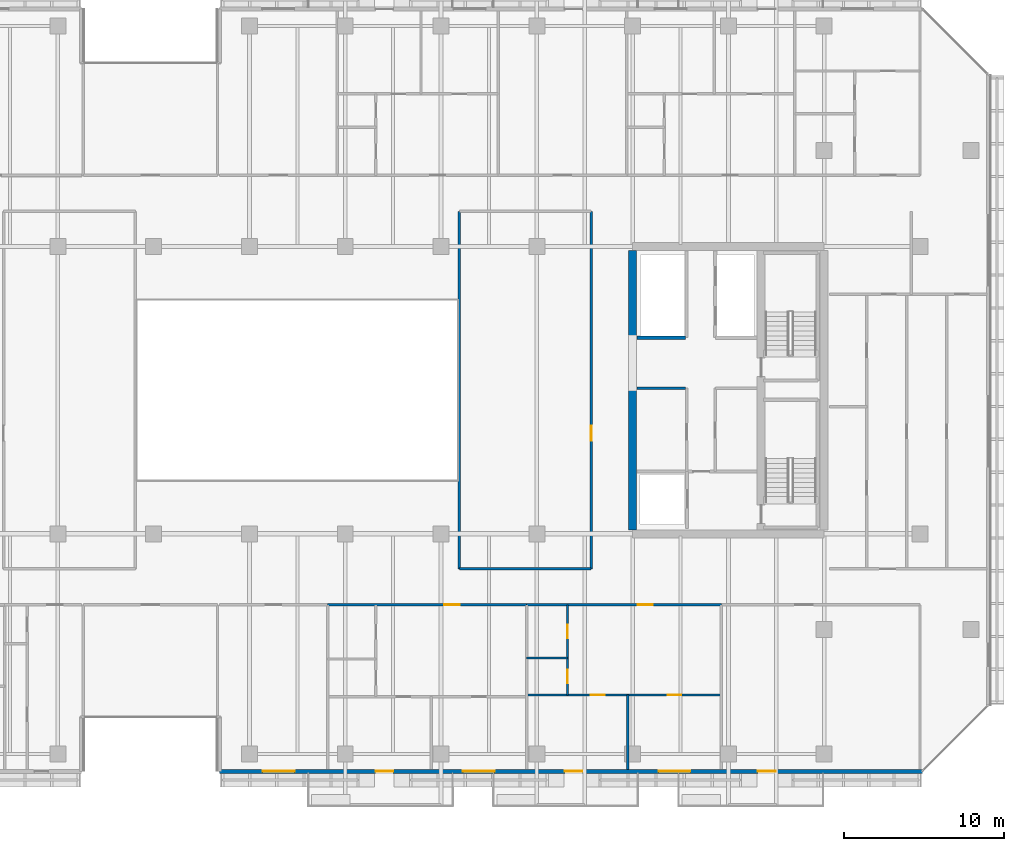
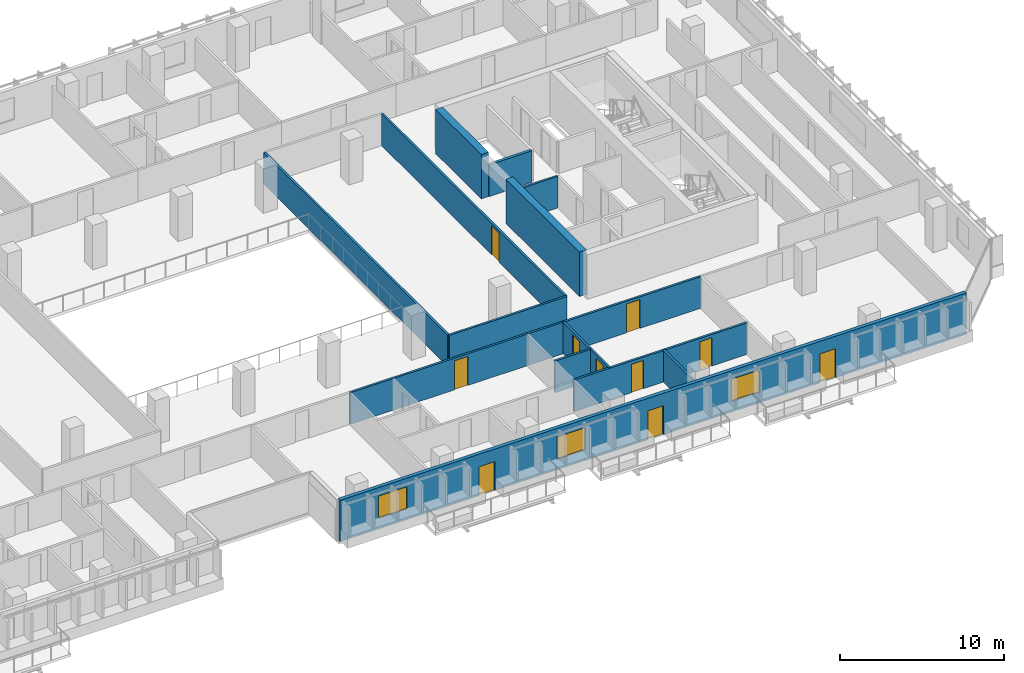
# One storey, part 25 of 35: 14 walls, 10 doors, 3 windows, 13 openings.
"""IFC4 building model written with IfcOpenShell, lengths in metres."""

from ifc_helpers import new_model, si_unit, direction, frame, frame_2d, origin, place, context, subcontext, project, spatial, rectangle, extrude, material, layer, layer_set, type_object, element, fill, save


model = new_model("IFC4")

# Units and contexts
model_context = context("Model", 3, precision=1e-05, world=origin(), true_north=direction((0.0, 1.0)))
body_context = subcontext(model_context, "Body", "Model", "MODEL_VIEW")
ifc_project = project(units=[si_unit("LENGTHUNIT", "METRE"), si_unit("AREAUNIT", "SQUARE_METRE"), si_unit("VOLUMEUNIT", "CUBIC_METRE"), si_unit("PLANEANGLEUNIT", "RADIAN"), si_unit("MASSUNIT", "GRAM", prefix="KILO")], contexts=[model_context])

# Site, building, storey
site_placement = place(None, origin())
site = spatial("IfcSite", under=ifc_project, at=site_placement, CompositionType="ELEMENT")
building_placement = place(site_placement, origin())
building = spatial("IfcBuilding", under=site, at=building_placement, Name="Tanjung Sevakor Pilgrim Tower", CompositionType="ELEMENT")
storey_placement = place(building_placement, frame((0.0, 0.0, 92.070068359375)))
storey = spatial("IfcBuildingStorey", under=building, at=storey_placement, Name="L25", CompositionType="ELEMENT", Elevation=92.070068359375)

# Walls
ifc_material_1 = material(Name="Concrete C60/75", Category="concrete")
ifc_layer_1 = layer(ifc_material_1, 0.5)
ifc_layer_set_1 = layer_set([ifc_layer_1], Name="WALL-CW-500")
wall_type_1 = type_object("IfcWallType", Name="WALL-CW-500", PredefinedType="SHEAR", material=ifc_layer_set_1)
wall_1_placement = place(storey_placement, frame((78.0, 24.85009765625, 0.0), z_axis=(0.0, 0.0, 1.0), x_axis=(0.0, 1.0, 0.0)))
element("IfcWall", 1, at=wall_1_placement, inside=storey, type_object=wall_type_1, Name="L25 E Core Inner Shear Wall South", PredefinedType="SHEAR", context=body_context, shape_type="SweptSolid", body=[
    extrude(rectangle(XDim=8.949951171875, YDim=0.5, at=frame_2d((4.47509765625, 0.0))), origin(), (0.0, 0.0, 1.0), 3.300048828125),
])
wall_2_placement = place(storey_placement, frame((78.0, 36.800048828125, 0.0), z_axis=(0.0, 0.0, 1.0), x_axis=(0.0, 1.0, 0.0)))
element("IfcWall", 2, at=wall_2_placement, inside=storey, type_object=wall_type_1, Name="L25 E Core Inner Shear Wall North", PredefinedType="SHEAR", context=body_context, shape_type="SweptSolid", body=[
    extrude(rectangle(XDim=5.550048828125, YDim=0.5, at=frame_2d((2.77490234375, 0.0))), origin(), (0.0, 0.0, 1.0), 3.300048828125),
])
ifc_material_2 = material(Name="Concrete C40/50", Category="concrete")
ifc_layer_2 = layer(ifc_material_2, 0.14990234375)
ifc_layer_set_2 = layer_set([ifc_layer_2], Name="WT-COMP-150")
wall_type_2 = type_object("IfcWallType", Name="WT-COMP-150", PredefinedType="SOLIDWALL", material=ifc_layer_set_2)
wall_3_placement = place(storey_placement, frame((78.27001953125, 33.719970703125, 0.0), z_axis=(0.0, 0.0, 1.0), x_axis=(1.0, 0.0, 0.0)))
element("IfcWall", 3, at=wall_3_placement, inside=storey, type_object=wall_type_2, Name="L25 Partition IW-L25-015", PredefinedType="SOLIDWALL", context=body_context, shape_type="SweptSolid", body=[
    extrude(rectangle(XDim=3.050048828125, YDim=0.14990234375, at=frame_2d((1.52490234375, 0.0))), origin(), (0.0, 0.0, 1.0), 2.35009765625),
])
wall_4_placement = place(storey_placement, frame((67.14990234375, 22.39990234375, 0.0), z_axis=(0.0, 0.0, 1.0), x_axis=(1.0, 0.0, 0.0)))
element("IfcWall", 4, at=wall_4_placement, inside=storey, type_object=wall_type_2, Name="L25 Partition IW-L25-025", PredefinedType="SOLIDWALL", context=body_context, shape_type="SweptSolid", body=[
    extrude(rectangle(XDim=8.25, YDim=0.14990234375, at=frame_2d((4.125, 0.0))), origin(), (0.0, 0.0, 1.0), 2.35009765625),
])
wall_5_placement = place(storey_placement, frame((67.14990234375, 22.39990234375, 0.0), z_axis=(0.0, 0.0, 1.0), x_axis=(0.0, 1.0, 0.0)))
element("IfcWall", 5, at=wall_5_placement, inside=storey, type_object=wall_type_2, Name="L25 Partition IW-L25-027", PredefinedType="SOLIDWALL", context=body_context, shape_type="SweptSolid", body=[
    extrude(rectangle(XDim=22.400146484375, YDim=0.14990234375, at=frame_2d((11.2001953125, 0.0))), origin(), (0.0, 0.0, 1.0), 2.35009765625),
])

# Wall, opening, door
wall_6_placement = place(storey_placement, frame((75.39990234375, 22.39990234375, 0.0), z_axis=(0.0, 0.0, 1.0), x_axis=(0.0, 1.0, 0.0)))
wall_6 = element("IfcWall", 6, at=wall_6_placement, inside=storey, type_object=wall_type_2, Name="L25 Partition IW-L25-028", PredefinedType="SOLIDWALL", context=body_context, shape_type="SweptSolid", body=[
    extrude(rectangle(XDim=22.400146484375, YDim=0.14990234375, at=frame_2d((11.2001953125, 0.0))), origin(), (0.0, 0.0, 1.0), 2.35009765625),
])
opening_1_placement = place(wall_6_placement, frame((8.02490234375, 0.0, 0.0)))
opening_1 = element("IfcOpeningElement", 7, at=opening_1_placement, cuts=wall_6, Name="Opening ID-RM1", PredefinedType="OPENING", context=body_context, shape_type="SweptSolid", body=[
    extrude(rectangle(XDim=0.949951171875, YDim=2.14990234375, at=frame_2d((0.47509765625, 1.074951171875))), frame((0.0, 0.0849609375, 0.0), z_axis=(0.0, -1.0, 0.0), x_axis=(1.0, 0.0, 0.0)), (0.0, 0.0, 1.0), 0.169921875),
])
ifc_material_3 = material(Name="Hardwood Timber", Category="wood")
door_type_1 = type_object("IfcDoorType", Name="DT-INT-950", OperationType="NOTDEFINED", PredefinedType="DOOR", material=ifc_material_3)
door_1_placement = place(opening_1_placement, origin())
door_1 = element("IfcDoor", 8, at=door_1_placement, inside=storey, type_object=door_type_1, Name="L25 Central East Room Door", OperationType="SINGLE_SWING_RIGHT", OverallHeight=2.14990234375, OverallWidth=0.949951171875, PredefinedType="DOOR", context=body_context, shape_type="SweptSolid", body=[
    extrude(rectangle(XDim=0.949951171875, YDim=2.14990234375, at=frame_2d((0.47509765625, 1.074951171875))), frame((0.0, 0.02490234375, 0.0), z_axis=(0.0, -1.0, 0.0), x_axis=(1.0, 0.0, 0.0)), (0.0, 0.0, 1.0), 0.050048828125),
])
fill(opening_1, door_1)

wall_7_placement = place(storey_placement, frame((58.895751953125, 20.14990234375, 0.0), z_axis=(0.0, 0.0, 1.0), x_axis=(1.0, 0.0, 0.0)))
wall_7 = element("IfcWall", 9, at=wall_7_placement, inside=storey, type_object=wall_type_2, Name="L25 Partition IW-L25-067", PredefinedType="SOLIDWALL", context=body_context, shape_type="SweptSolid", body=[
    extrude(rectangle(XDim=12.467529296875, YDim=0.14990234375, at=frame_2d((6.23388671875, 0.0))), origin(), (0.0, 0.0, 1.0), 2.35009765625),
])
opening_2_placement = place(wall_7_placement, frame((7.310791015625, 0.0, 0.0)))
opening_2 = element("IfcOpeningElement", 10, at=opening_2_placement, cuts=wall_7, Name="Opening ID-FD2", PredefinedType="OPENING", context=body_context, shape_type="SweptSolid", body=[
    extrude(rectangle(XDim=0.949951171875, YDim=2.14990234375, at=frame_2d((0.47509765625, 1.074951171875))), frame((0.0, 0.0849609375, 0.0), z_axis=(0.0, -1.0, 0.0), x_axis=(1.0, 0.0, 0.0)), (0.0, 0.0, 1.0), 0.169921875),
])
ifc_material_4 = material(Name="Fire-Rated Timber", Category="wood")
door_type_2 = type_object("IfcDoorType", Name="DT-FIRE-950", OperationType="NOTDEFINED", PredefinedType="DOOR", material=ifc_material_4)
door_2_placement = place(opening_2_placement, origin())
door_2 = element("IfcDoor", 11, at=door_2_placement, inside=storey, type_object=door_type_2, Name="Suite Entrance", OperationType="SINGLE_SWING_LEFT", OverallHeight=2.14990234375, OverallWidth=0.949951171875, PredefinedType="DOOR", context=body_context, shape_type="SweptSolid", body=[
    extrude(rectangle(XDim=0.949951171875, YDim=2.14990234375, at=frame_2d((0.47509765625, 1.074951171875))), frame((0.0, 0.02490234375, 0.0), z_axis=(0.0, -1.0, 0.0), x_axis=(1.0, 0.0, 0.0)), (0.0, 0.0, 1.0), 0.050048828125),
])
fill(opening_2, door_2)

wall_8_placement = place(storey_placement, frame((71.36328125, 20.14990234375, 0.0), z_axis=(0.0, 0.0, 1.0), x_axis=(1.0, 0.0, 0.0)))
wall_8 = element("IfcWall", 12, at=wall_8_placement, inside=storey, type_object=wall_type_2, Name="L25 Partition IW-L25-073", PredefinedType="SOLIDWALL", context=body_context, shape_type="SweptSolid", body=[
    extrude(rectangle(XDim=12.1962890625, YDim=0.14990234375, at=frame_2d((6.09814453125, 0.0))), origin(), (0.0, 0.0, 1.0), 2.35009765625),
])
opening_3_placement = place(wall_8_placement, frame((6.941650390625, 0.0, 0.0)))
opening_3 = element("IfcOpeningElement", 13, at=opening_3_placement, cuts=wall_8, Name="Opening ID-FD2", PredefinedType="OPENING", context=body_context, shape_type="SweptSolid", body=[
    extrude(rectangle(XDim=0.949951171875, YDim=2.14990234375, at=frame_2d((0.47509765625, 1.074951171875))), frame((0.0, 0.0849609375, 0.0), z_axis=(0.0, -1.0, 0.0), x_axis=(1.0, 0.0, 0.0)), (0.0, 0.0, 1.0), 0.169921875),
])
door_3_placement = place(opening_3_placement, origin())
door_3 = element("IfcDoor", 14, at=door_3_placement, inside=storey, type_object=door_type_2, Name="Suite Entrance", OperationType="SINGLE_SWING_RIGHT", OverallHeight=2.14990234375, OverallWidth=0.949951171875, PredefinedType="DOOR", context=body_context, shape_type="SweptSolid", body=[
    extrude(rectangle(XDim=0.949951171875, YDim=2.14990234375, at=frame_2d((0.47509765625, 1.074951171875))), frame((0.0, 0.02490234375, 0.0), z_axis=(0.0, -1.0, 0.0), x_axis=(1.0, 0.0, 0.0)), (0.0, 0.0, 1.0), 0.050048828125),
])
fill(opening_3, door_3)

# Wall, openings, doors, windows
ifc_material_5 = material(Name="Precast concrete C45/55", Category="concrete")
ifc_layer_3 = layer(ifc_material_5, 0.25)
ifc_layer_set_3 = layer_set([ifc_layer_3], Name="WT-EW-STN3")
wall_type_3 = type_object("IfcWallType", Name="WT-EW-STN3", PredefinedType="SOLIDWALL", material=ifc_layer_set_3)
wall_9_placement = place(storey_placement, frame((52.125, 9.72509765625, 0.0), z_axis=(0.0, 0.0, 1.0), x_axis=(1.0, 0.0, 0.0)))
wall_9 = element("IfcWall", 15, at=wall_9_placement, inside=storey, type_object=wall_type_3, Name="L25 MAIN Exterior Wall 5", PredefinedType="SOLIDWALL", context=body_context, shape_type="SweptSolid", body=[
    extrude(rectangle(XDim=44.023193359375, YDim=0.25, at=frame_2d((22.01171875, 0.0))), origin(), (0.0, 0.0, 1.0), 3.080078125),
])
opening_4_placement = place(wall_9_placement, frame((9.77490234375, 0.0, 0.0)))
opening_4 = element("IfcOpeningElement", 16, at=opening_4_placement, cuts=wall_9, Name="Opening ED-BAL-1100", PredefinedType="OPENING", context=body_context, shape_type="SweptSolid", body=[
    extrude(rectangle(XDim=1.10009765625, YDim=2.14990234375, at=frame_2d((0.550048828125, 1.074951171875))), frame((0.0, 0.135009765625, 0.0), z_axis=(0.0, -1.0, 0.0), x_axis=(1.0, 0.0, 0.0)), (0.0, 0.0, 1.0), 0.27001953125),
])
opening_5_placement = place(wall_9_placement, frame((21.625, 0.0, 0.0)))
opening_5 = element("IfcOpeningElement", 17, at=opening_5_placement, cuts=wall_9, Name="Opening ED-BAL-1100", PredefinedType="OPENING", context=body_context, shape_type="SweptSolid", body=[
    extrude(rectangle(XDim=1.10009765625, YDim=2.14990234375, at=frame_2d((0.550048828125, 1.074951171875))), frame((0.0, 0.135009765625, 0.0), z_axis=(0.0, -1.0, 0.0), x_axis=(1.0, 0.0, 0.0)), (0.0, 0.0, 1.0), 0.27001953125),
])
opening_6_placement = place(wall_9_placement, frame((33.72509765625, 0.0, 0.0)))
opening_6 = element("IfcOpeningElement", 18, at=opening_6_placement, cuts=wall_9, Name="Opening ED-BAL-1100", PredefinedType="OPENING", context=body_context, shape_type="SweptSolid", body=[
    extrude(rectangle(XDim=1.10009765625, YDim=2.14990234375, at=frame_2d((0.550048828125, 1.074951171875))), frame((0.0, 0.135009765625, 0.0), z_axis=(0.0, -1.0, 0.0), x_axis=(1.0, 0.0, 0.0)), (0.0, 0.0, 1.0), 0.27001953125),
])
opening_7_placement = place(wall_9_placement, frame((2.702880859375, 0.0, 0.780029296875)))
opening_7 = element("IfcOpeningElement", 19, at=opening_7_placement, cuts=wall_9, Name="Opening WN-Z2-1660", PredefinedType="OPENING", context=body_context, shape_type="SweptSolid", body=[
    extrude(rectangle(XDim=2.0, YDim=1.659912109375, at=frame_2d((1.0, 0.830078125))), frame((0.0, 0.135009765625, 0.0), z_axis=(0.0, -1.0, 0.0), x_axis=(1.0, 0.0, 0.0)), (0.0, 0.0, 1.0), 0.27001953125),
])
opening_8_placement = place(wall_9_placement, frame((15.236083984375, 0.0, 0.780029296875)))
opening_8 = element("IfcOpeningElement", 20, at=opening_8_placement, cuts=wall_9, Name="Opening WN-Z2-1660", PredefinedType="OPENING", context=body_context, shape_type="SweptSolid", body=[
    extrude(rectangle(XDim=2.0, YDim=1.659912109375, at=frame_2d((1.0, 0.830078125))), frame((0.0, 0.135009765625, 0.0), z_axis=(0.0, -1.0, 0.0), x_axis=(1.0, 0.0, 0.0)), (0.0, 0.0, 1.0), 0.27001953125),
])
opening_9_placement = place(wall_9_placement, frame((27.49755859375, 0.0, 0.780029296875)))
opening_9 = element("IfcOpeningElement", 21, at=opening_9_placement, cuts=wall_9, Name="Opening WN-Z2-1660", PredefinedType="OPENING", context=body_context, shape_type="SweptSolid", body=[
    extrude(rectangle(XDim=2.0, YDim=1.659912109375, at=frame_2d((1.0, 0.830078125))), frame((0.0, 0.135009765625, 0.0), z_axis=(0.0, -1.0, 0.0), x_axis=(1.0, 0.0, 0.0)), (0.0, 0.0, 1.0), 0.27001953125),
])
ifc_material_6 = material(Name="Anodised Aluminium and Laminated Glass", Category="aluminium")
door_type_3 = type_object("IfcDoorType", Name="DTYP-ED-BAL-1100", OperationType="NOTDEFINED", PredefinedType="DOOR", material=ifc_material_6)
door_4_placement = place(opening_4_placement, frame((1.10009765625, 0.0, 0.0), z_axis=(0.0, 0.0, 1.0), x_axis=(-1.0, 0.0, 0.0)))
door_4 = element("IfcDoor", 22, at=door_4_placement, inside=storey, type_object=door_type_3, Name="L25 Balcony Door MAIN-S2", OperationType="SINGLE_SWING_LEFT", OverallHeight=2.14990234375, OverallWidth=1.10009765625, PredefinedType="DOOR", context=body_context, shape_type="SweptSolid", body=[
    extrude(rectangle(XDim=1.10009765625, YDim=2.14990234375, at=frame_2d((0.550048828125, 1.074951171875))), frame((0.0, 0.02490234375, 0.0), z_axis=(0.0, -1.0, 0.0), x_axis=(1.0, 0.0, 0.0)), (0.0, 0.0, 1.0), 0.050048828125),
])
fill(opening_4, door_4)
door_5_placement = place(opening_5_placement, frame((1.10009765625, 0.0, 0.0), z_axis=(0.0, 0.0, 1.0), x_axis=(-1.0, 0.0, 0.0)))
door_5 = element("IfcDoor", 23, at=door_5_placement, inside=storey, type_object=door_type_3, Name="L25 Balcony Door MAIN-S3", OperationType="SINGLE_SWING_RIGHT", OverallHeight=2.14990234375, OverallWidth=1.10009765625, PredefinedType="DOOR", context=body_context, shape_type="SweptSolid", body=[
    extrude(rectangle(XDim=1.10009765625, YDim=2.14990234375, at=frame_2d((0.550048828125, 1.074951171875))), frame((0.0, 0.02490234375, 0.0), z_axis=(0.0, -1.0, 0.0), x_axis=(1.0, 0.0, 0.0)), (0.0, 0.0, 1.0), 0.050048828125),
])
fill(opening_5, door_5)
door_6_placement = place(opening_6_placement, frame((1.10009765625, 0.0, 0.0), z_axis=(0.0, 0.0, 1.0), x_axis=(-1.0, 0.0, 0.0)))
door_6 = element("IfcDoor", 24, at=door_6_placement, inside=storey, type_object=door_type_3, Name="L25 Balcony Door MAIN-S4", OperationType="SINGLE_SWING_LEFT", OverallHeight=2.14990234375, OverallWidth=1.10009765625, PredefinedType="DOOR", context=body_context, shape_type="SweptSolid", body=[
    extrude(rectangle(XDim=1.10009765625, YDim=2.14990234375, at=frame_2d((0.550048828125, 1.074951171875))), frame((0.0, 0.02490234375, 0.0), z_axis=(0.0, -1.0, 0.0), x_axis=(1.0, 0.0, 0.0)), (0.0, 0.0, 1.0), 0.050048828125),
])
fill(opening_6, door_6)
ifc_material_7 = material(Name="Thermally Broken Aluminium and Low-E Glass", Category="aluminium")
window_type = type_object("IfcWindowType", Name="WTYP-WN-Z2-1660", PartitioningType="DOUBLE_PANEL_VERTICAL", PredefinedType="WINDOW", material=ifc_material_7)
window_1_placement = place(opening_7_placement, origin())
window_1 = element("IfcWindow", 25, at=window_1_placement, inside=storey, type_object=window_type, Name="L25 Facade Window 01", OverallHeight=1.659912109375, OverallWidth=2.0, PartitioningType="SINGLE_PANEL", PredefinedType="WINDOW", context=body_context, shape_type="SweptSolid", body=[
    extrude(rectangle(XDim=2.0, YDim=1.659912109375, at=frame_2d((1.0, 0.830078125))), frame((0.0, 0.030029296875, 0.0), z_axis=(0.0, -1.0, 0.0), x_axis=(1.0, 0.0, 0.0)), (0.0, 0.0, 1.0), 0.06005859375),
])
fill(opening_7, window_1)
window_2_placement = place(opening_8_placement, origin())
window_2 = element("IfcWindow", 26, at=window_2_placement, inside=storey, type_object=window_type, Name="L25 Facade Window 02", OverallHeight=1.659912109375, OverallWidth=2.0, PartitioningType="SINGLE_PANEL", PredefinedType="WINDOW", context=body_context, shape_type="SweptSolid", body=[
    extrude(rectangle(XDim=2.0, YDim=1.659912109375, at=frame_2d((1.0, 0.830078125))), frame((0.0, 0.030029296875, 0.0), z_axis=(0.0, -1.0, 0.0), x_axis=(1.0, 0.0, 0.0)), (0.0, 0.0, 1.0), 0.06005859375),
])
fill(opening_8, window_2)
window_3_placement = place(opening_9_placement, origin())
window_3 = element("IfcWindow", 27, at=window_3_placement, inside=storey, type_object=window_type, Name="L25 Facade Window 03", OverallHeight=1.659912109375, OverallWidth=2.0, PartitioningType="SINGLE_PANEL", PredefinedType="WINDOW", context=body_context, shape_type="SweptSolid", body=[
    extrude(rectangle(XDim=2.0, YDim=1.659912109375, at=frame_2d((1.0, 0.830078125))), frame((0.0, 0.030029296875, 0.0), z_axis=(0.0, -1.0, 0.0), x_axis=(1.0, 0.0, 0.0)), (0.0, 0.0, 1.0), 0.06005859375),
])
fill(opening_9, window_3)

# Walls
ifc_material_8 = material(Name="Concrete C40/50", Category="concrete")
ifc_layer_4 = layer(ifc_material_8, 0.199951171875)
ifc_layer_set_4 = layer_set([ifc_layer_4], Name="WT-FPRT-200")
wall_type_4 = type_object("IfcWallType", Name="WT-FPRT-200", PredefinedType="SOLIDWALL", material=ifc_layer_set_4)
wall_10_placement = place(storey_placement, frame((78.27001953125, 36.8798828125, 0.0), z_axis=(0.0, 0.0, 1.0), x_axis=(1.0, 0.0, 0.0)))
element("IfcWall", 28, at=wall_10_placement, inside=storey, type_object=wall_type_4, Name="L25 Partition IW-L25-019", PredefinedType="SOLIDWALL", context=body_context, shape_type="SweptSolid", body=[
    extrude(rectangle(XDim=3.050048828125, YDim=0.199951171875, at=frame_2d((1.52490234375, 0.0))), origin(), (0.0, 0.0, 1.0), 2.35009765625),
])
ifc_material_9 = material(Name="Gypsum Board Partition", Category="gypsum board")
ifc_layer_5 = layer(ifc_material_9, 0.14990234375)
ifc_layer_set_5 = layer_set([ifc_layer_5], Name="WT-PART-150")
wall_type_5 = type_object("IfcWallType", Name="WT-PART-150", PredefinedType="PARTITIONING", material=ifc_layer_set_5)
wall_11_placement = place(storey_placement, frame((71.36328125, 16.8173828125, 0.0), z_axis=(0.0, 0.0, 1.0), x_axis=(1.0, 0.0, 0.0)))
element("IfcWall", 29, at=wall_11_placement, inside=storey, type_object=wall_type_5, Name="L25 Partition IW-L25-069", PredefinedType="PARTITIONING", context=body_context, shape_type="SweptSolid", body=[
    extrude(rectangle(XDim=2.556640625, YDim=0.14990234375, at=frame_2d((1.2783203125, 0.0))), origin(), (0.0, 0.0, 1.0), 2.35009765625),
])

# Wall, openings, doors
wall_12_placement = place(storey_placement, frame((73.919921875, 14.50146484375, 0.0), z_axis=(0.0, 0.0, 1.0), x_axis=(0.0, 1.0, 0.0)))
wall_12 = element("IfcWall", 30, at=wall_12_placement, inside=storey, type_object=wall_type_5, Name="L25 Partition IW-L25-070", PredefinedType="PARTITIONING", context=body_context, shape_type="SweptSolid", body=[
    extrude(rectangle(XDim=5.6484375, YDim=0.14990234375, at=frame_2d((2.82421875, 0.0))), origin(), (0.0, 0.0, 1.0), 2.35009765625),
])
opening_10_placement = place(wall_12_placement, frame((0.73291015625, 0.0, 0.0)))
opening_10 = element("IfcOpeningElement", 31, at=opening_10_placement, cuts=wall_12, Name="Opening ID-WC1", PredefinedType="OPENING", context=body_context, shape_type="SweptSolid", body=[
    extrude(rectangle(XDim=0.85009765625, YDim=2.10009765625, at=frame_2d((0.425048828125, 1.050048828125))), frame((0.0, 0.0849609375, 0.0), z_axis=(0.0, -1.0, 0.0), x_axis=(1.0, 0.0, 0.0)), (0.0, 0.0, 1.0), 0.169921875),
])
opening_11_placement = place(wall_12_placement, frame((3.55712890625, 0.0, 0.0)))
opening_11 = element("IfcOpeningElement", 32, at=opening_11_placement, cuts=wall_12, Name="Opening ID-WC1", PredefinedType="OPENING", context=body_context, shape_type="SweptSolid", body=[
    extrude(rectangle(XDim=0.85009765625, YDim=2.10009765625, at=frame_2d((0.425048828125, 1.050048828125))), frame((0.0, 0.0849609375, 0.0), z_axis=(0.0, -1.0, 0.0), x_axis=(1.0, 0.0, 0.0)), (0.0, 0.0, 1.0), 0.169921875),
])
ifc_material_10 = material(Name="Moisture-Resistant Timber", Category="wood")
door_type_4 = type_object("IfcDoorType", Name="DT-INT-850", OperationType="NOTDEFINED", PredefinedType="DOOR", material=ifc_material_10)
door_7_placement = place(opening_10_placement, origin())
door_7 = element("IfcDoor", 33, at=door_7_placement, inside=storey, type_object=door_type_4, Name="Suite Bathroom Door", OperationType="SINGLE_SWING_RIGHT", OverallHeight=2.10009765625, OverallWidth=0.85009765625, PredefinedType="DOOR", context=body_context, shape_type="SweptSolid", body=[
    extrude(rectangle(XDim=0.85009765625, YDim=2.10009765625, at=frame_2d((0.425048828125, 1.050048828125))), frame((0.0, 0.02490234375, 0.0), z_axis=(0.0, -1.0, 0.0), x_axis=(1.0, 0.0, 0.0)), (0.0, 0.0, 1.0), 0.050048828125),
])
fill(opening_10, door_7)
door_8_placement = place(opening_11_placement, origin())
door_8 = element("IfcDoor", 34, at=door_8_placement, inside=storey, type_object=door_type_4, Name="Suite Kitchenette Door", OperationType="SINGLE_SWING_LEFT", OverallHeight=2.10009765625, OverallWidth=0.85009765625, PredefinedType="DOOR", context=body_context, shape_type="SweptSolid", body=[
    extrude(rectangle(XDim=0.85009765625, YDim=2.10009765625, at=frame_2d((0.425048828125, 1.050048828125))), frame((0.0, 0.02490234375, 0.0), z_axis=(0.0, -1.0, 0.0), x_axis=(1.0, 0.0, 0.0)), (0.0, 0.0, 1.0), 0.050048828125),
])
fill(opening_11, door_8)

# Wall
wall_13_placement = place(storey_placement, frame((77.705322265625, 9.85009765625, 0.0), z_axis=(0.0, 0.0, 1.0), x_axis=(0.0, 1.0, 0.0)))
element("IfcWall", 35, at=wall_13_placement, inside=storey, type_object=wall_type_5, Name="L25 Partition IW-L25-071", PredefinedType="PARTITIONING", context=body_context, shape_type="SweptSolid", body=[
    extrude(rectangle(XDim=4.6513671875, YDim=0.14990234375, at=frame_2d((2.32568359375, 0.0))), origin(), (0.0, 0.0, 1.0), 2.35009765625),
])

# Wall, openings, doors
wall_14_placement = place(storey_placement, frame((71.36328125, 14.50146484375, 0.0), z_axis=(0.0, 0.0, 1.0), x_axis=(1.0, 0.0, 0.0)))
wall_14 = element("IfcWall", 36, at=wall_14_placement, inside=storey, type_object=wall_type_5, Name="L25 Partition IW-L25-072", PredefinedType="PARTITIONING", context=body_context, shape_type="SweptSolid", body=[
    extrude(rectangle(XDim=12.1962890625, YDim=0.14990234375, at=frame_2d((6.09814453125, 0.0))), origin(), (0.0, 0.0, 1.0), 2.35009765625),
])
opening_12_placement = place(wall_14_placement, frame((4.0244140625, 0.0, 0.0)))
opening_12 = element("IfcOpeningElement", 37, at=opening_12_placement, cuts=wall_14, Name="Opening ID-WC1", PredefinedType="OPENING", context=body_context, shape_type="SweptSolid", body=[
    extrude(rectangle(XDim=0.85009765625, YDim=2.10009765625, at=frame_2d((0.425048828125, 1.050048828125))), frame((0.0, 0.0849609375, 0.0), z_axis=(0.0, -1.0, 0.0), x_axis=(1.0, 0.0, 0.0)), (0.0, 0.0, 1.0), 0.169921875),
])
opening_13_placement = place(wall_14_placement, frame((8.84423828125, 0.0, 0.0)))
opening_13 = element("IfcOpeningElement", 38, at=opening_13_placement, cuts=wall_14, Name="Opening ID-WC1", PredefinedType="OPENING", context=body_context, shape_type="SweptSolid", body=[
    extrude(rectangle(XDim=0.85009765625, YDim=2.10009765625, at=frame_2d((0.425048828125, 1.050048828125))), frame((0.0, 0.0849609375, 0.0), z_axis=(0.0, -1.0, 0.0), x_axis=(1.0, 0.0, 0.0)), (0.0, 0.0, 1.0), 0.169921875),
])
door_9_placement = place(opening_12_placement, origin())
door_9 = element("IfcDoor", 39, at=door_9_placement, inside=storey, type_object=door_type_4, Name="Suite Bedroom 1 Door", OperationType="SINGLE_SWING_RIGHT", OverallHeight=2.10009765625, OverallWidth=0.85009765625, PredefinedType="DOOR", context=body_context, shape_type="SweptSolid", body=[
    extrude(rectangle(XDim=0.85009765625, YDim=2.10009765625, at=frame_2d((0.425048828125, 1.050048828125))), frame((0.0, 0.02490234375, 0.0), z_axis=(0.0, -1.0, 0.0), x_axis=(1.0, 0.0, 0.0)), (0.0, 0.0, 1.0), 0.050048828125),
])
fill(opening_12, door_9)
door_10_placement = place(opening_13_placement, origin())
door_10 = element("IfcDoor", 40, at=door_10_placement, inside=storey, type_object=door_type_4, Name="Suite Bedroom 2 Door", OperationType="SINGLE_SWING_LEFT", OverallHeight=2.10009765625, OverallWidth=0.85009765625, PredefinedType="DOOR", context=body_context, shape_type="SweptSolid", body=[
    extrude(rectangle(XDim=0.85009765625, YDim=2.10009765625, at=frame_2d((0.425048828125, 1.050048828125))), frame((0.0, 0.02490234375, 0.0), z_axis=(0.0, -1.0, 0.0), x_axis=(1.0, 0.0, 0.0)), (0.0, 0.0, 1.0), 0.050048828125),
])
fill(opening_13, door_10)

save(model, "model.ifc")
